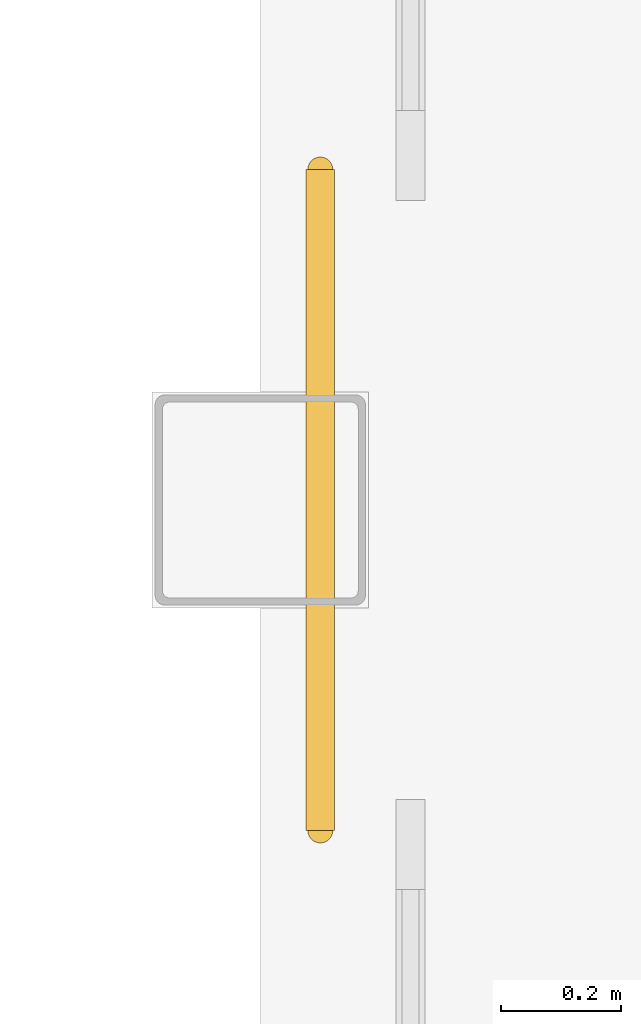
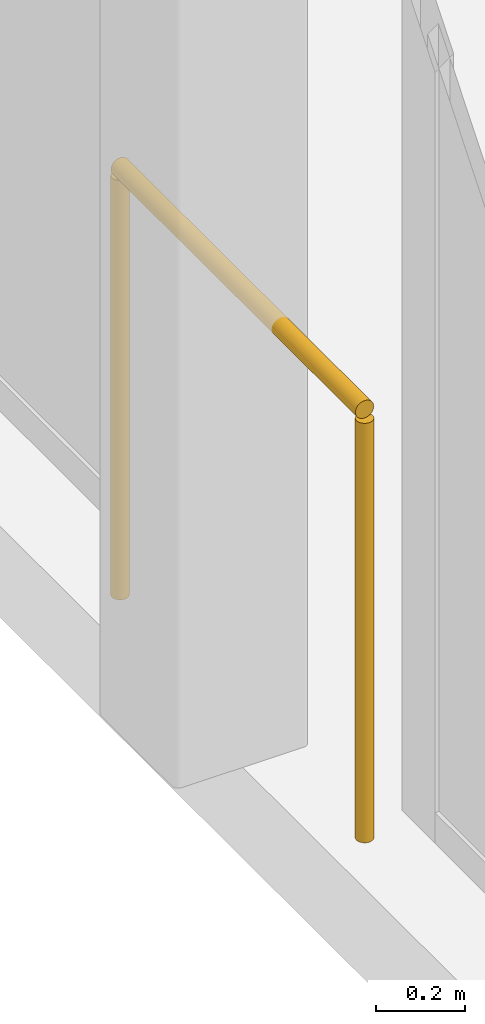
# One storey, part 119 of 139: 1 railing.
"""IFC4 building model written with IfcOpenShell, lengths in metres."""

from ifc_helpers import new_model, si_unit, direction, frame, origin, origin_2d, place, context, subcontext, project, spatial, circle, extrude, material, type_object, element, save


model = new_model("IFC4")

# Units and contexts
model_context = context("Model", 3, precision=1e-05, world=origin(), true_north=direction((0.0, 1.0)))
body_context = subcontext(model_context, "Body", "Model", "MODEL_VIEW")
ifc_project = project(units=[si_unit("LENGTHUNIT", "METRE"), si_unit("AREAUNIT", "SQUARE_METRE"), si_unit("VOLUMEUNIT", "CUBIC_METRE"), si_unit("PLANEANGLEUNIT", "RADIAN"), si_unit("MASSUNIT", "GRAM", prefix="KILO")], contexts=[model_context])

# Site, building, storey
site_placement = place(None, origin())
site = spatial("IfcSite", under=ifc_project, at=site_placement, CompositionType="ELEMENT")
building_placement = place(site_placement, origin())
building = spatial("IfcBuilding", under=site, at=building_placement, Name="Yeouljin Market Hall", CompositionType="ELEMENT")
storey_placement = place(building_placement, origin())
storey = spatial("IfcBuildingStorey", under=building, at=storey_placement, Name="L00", CompositionType="ELEMENT", Elevation=0.0)

# Railing
ifc_material = material(Name="Wrought Iron and Bronze Gallery Balustrade")
railing_type = type_object("IfcRailingType", Name="Railing_AtriumBalustrade_1200", PredefinedType="BALUSTRADE", material=ifc_material)
railing_placement = place(storey_placement, frame((8.949951171875, 45.449951171875, 0.0)))
element("IfcRailing", 1, at=railing_placement, inside=storey, type_object=railing_type, Name="Gallery & deck edge balustrade L00-044", PredefinedType="BALUSTRADE", context=body_context, shape_type="SweptSolid", body=[
    extrude(circle(Radius=0.02392578125, at=origin_2d()), frame((0.0, 0.0, 1.17578125), z_axis=(0.0, 1.0, 0.0), x_axis=(-1.0, 0.0, 0.0)), (0.0, 0.0, 1.0), 1.10009765625),
    extrude(circle(Radius=0.02099609375, at=origin_2d()), origin(), (0.0, 0.0, 1.0), 1.15185546875),
    extrude(circle(Radius=0.02099609375, at=origin_2d()), frame((0.0, 1.10009765625, 0.0)), (0.0, 0.0, 1.0), 1.15185546875),
])

save(model, "model.ifc")
